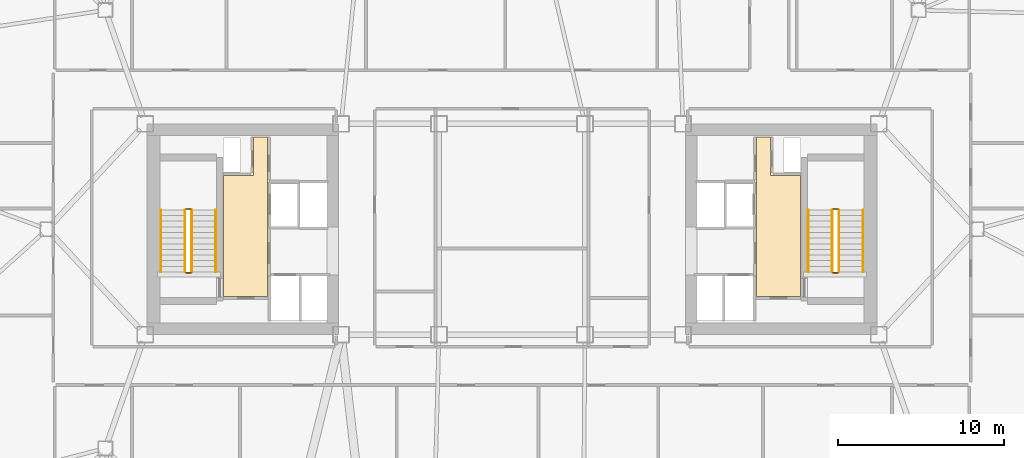
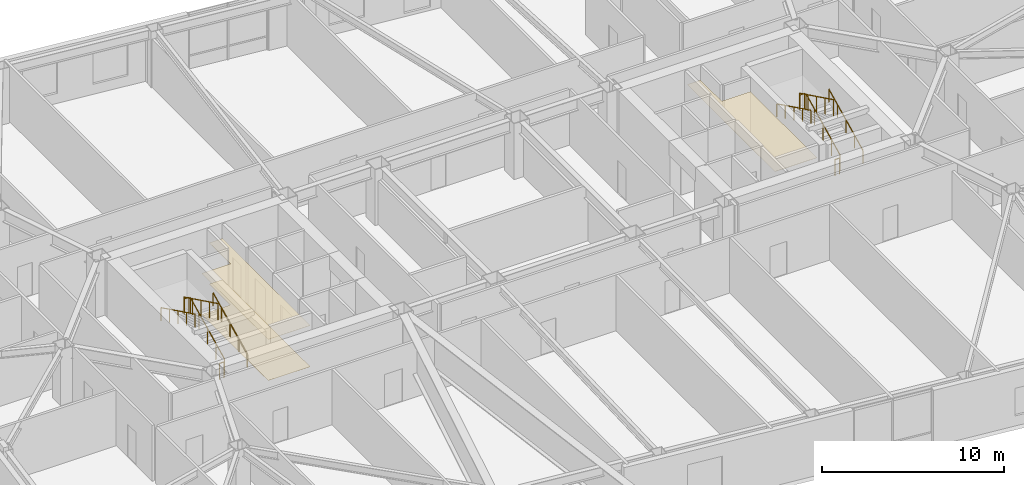
# One storey, part 19 of 19: 12 railings, 3 coverings.
"""IFC4 building model written with IfcOpenShell, lengths in metres."""

from ifc_helpers import new_model, si_unit, direction, frame, origin, origin_2d, place, context, subcontext, project, spatial, polyline, rectangle, outline, extrude, material, layer, layer_set, type_object, element, save


model = new_model("IFC4")

# Units and contexts
model_context = context("Model", 3, precision=1e-05, world=origin(), true_north=direction((0.0, 1.0)))
body_context = subcontext(model_context, "Body", "Model", "MODEL_VIEW")
ifc_project = project(units=[si_unit("LENGTHUNIT", "METRE"), si_unit("AREAUNIT", "SQUARE_METRE"), si_unit("VOLUMEUNIT", "CUBIC_METRE"), si_unit("PLANEANGLEUNIT", "RADIAN"), si_unit("MASSUNIT", "GRAM", prefix="KILO")], contexts=[model_context])

# Site, building, storey
site_placement = place(None, origin())
site = spatial("IfcSite", under=ifc_project, at=site_placement, CompositionType="ELEMENT")
building_placement = place(site_placement, origin())
building = spatial("IfcBuilding", under=site, at=building_placement, Name="Tavrogorsk Clinical Tower", CompositionType="ELEMENT")
storey_placement = place(building_placement, frame((0.0, 0.0, 97.39990234375)))
storey = spatial("IfcBuildingStorey", under=building, at=storey_placement, Name="L21", CompositionType="ELEMENT", Elevation=97.39990234375)

# Coverings
ifc_material_1 = material(Name="Antibacterial micro-perforated aluminium ceiling", Category="aluminium")
ifc_layer_1 = layer(ifc_material_1, 0.014892578125)
ifc_layer_set_1 = layer_set([ifc_layer_1], Name="Antibacterial micro-perforated aluminium ceiling")
covering_type_1 = type_object("IfcCoveringType", Name="ClinicalCeiling_15", PredefinedType="CEILING", material=ifc_layer_set_1)
covering_1_placement = place(storey_placement, frame((0.0, 0.0, 2.75)))
element("IfcCovering", 1, at=covering_1_placement, inside=storey, type_object=covering_type_1, Name="Core West Firefighting Lift Lobby Acoustic Ceiling", PredefinedType="CEILING", context=body_context, shape_type="SweptSolid", body=[
    extrude(outline(polyline([(-14.719970703125, 5.56005859375), (-14.719970703125, -4.06005859375), (-17.3798828125, -4.06005859375), (-17.3798828125, 3.239990234375), (-15.56005859375, 3.239990234375), (-15.56005859375, 5.56005859375), (-14.719970703125, 5.56005859375)])), origin(), (0.0, 0.0, 1.0), 0.01513671875),
])
covering_2_placement = place(storey_placement, frame((0.0, 0.0, 2.75)))
element("IfcCovering", 2, at=covering_2_placement, inside=storey, type_object=covering_type_1, Name="Core East Firefighting Lift Lobby Acoustic Ceiling", PredefinedType="CEILING", context=body_context, shape_type="SweptSolid", body=[
    extrude(outline(polyline([(17.3798828125, -4.06005859375), (14.719970703125, -4.06005859375), (14.719970703125, 5.56005859375), (15.56005859375, 5.56005859375), (15.56005859375, 3.239990234375), (17.3798828125, 3.239990234375), (17.3798828125, -4.06005859375)])), origin(), (0.0, 0.0, 1.0), 0.01513671875),
])
ifc_material_2 = material(Name="Homogeneous medical conductive PVC flooring")
ifc_layer_2 = layer(ifc_material_2, 0.008056640625)
ifc_layer_set_2 = layer_set([ifc_layer_2], Name="Homogeneous medical conductive PVC flooring")
covering_type_2 = type_object("IfcCoveringType", Name="ResilientVinylFloor_8", PredefinedType="FLOORING", material=ifc_layer_set_2)
covering_3_placement = place(storey_placement, origin())
element("IfcCovering", 3, at=covering_3_placement, inside=storey, type_object=covering_type_2, Name="Core West Firefighting Lift Lobby Conductive Vinyl Flooring", PredefinedType="FLOORING", context=body_context, shape_type="SweptSolid", body=[
    extrude(outline(polyline([(-14.719970703125, 5.56005859375), (-14.719970703125, -4.06005859375), (-17.3798828125, -4.06005859375), (-17.3798828125, 3.239990234375), (-15.56005859375, 3.239990234375), (-15.56005859375, 5.56005859375), (-14.719970703125, 5.56005859375)])), origin(), (0.0, 0.0, 1.0), 0.008056640625),
])

# Railings
ifc_material_3 = material(Name="Galvanised steel S355 safety stairwell guard", Category="steel")
ifc_layer_3 = layer(ifc_material_3, 0.06005859375)
ifc_layer_set_3 = layer_set([ifc_layer_3], Name="Galvanised steel S355 safety stairwell guard")
railing_type_1 = type_object("IfcRailingType", Name="StairGuard_1150", PredefinedType="GUARDRAIL", material=ifc_layer_set_3)
railing_1_placement = place(storey_placement, frame((-19.300048828125, -2.574951171875, 0.166748046875)))
element("IfcRailing", 4, at=railing_1_placement, inside=storey, type_object=railing_type_1, Name="L21 ST-W stair guard 1", PredefinedType="GUARDRAIL", context=body_context, shape_type="SweptSolid", body=[
    extrude(rectangle(XDim=0.048095703125, YDim=0.048095703125, at=origin_2d()), frame((0.0, 0.0, 1.076171875), z_axis=(0.0, 0.897927990467, 0.440142390523), x_axis=(-1.0, 0.0, 0.0)), (0.0, 0.0, 1.0), 4.1650390625),
    extrude(rectangle(XDim=0.0419921875, YDim=0.0419921875, at=origin_2d()), origin(), (0.0, 0.0, 1.0), 1.052001953125),
    extrude(rectangle(XDim=0.0419921875, YDim=0.0419921875, at=origin_2d()), frame((0.0, 0.93505859375, 0.458251953125)), (0.0, 0.0, 1.0), 1.052001953125),
    extrude(rectangle(XDim=0.0419921875, YDim=0.0419921875, at=origin_2d()), frame((0.0, 1.8701171875, 0.91650390625)), (0.0, 0.0, 1.0), 1.052001953125),
    extrude(rectangle(XDim=0.0419921875, YDim=0.0419921875, at=origin_2d()), frame((0.0, 2.804931640625, 1.375)), (0.0, 0.0, 1.0), 1.052001953125),
    extrude(rectangle(XDim=0.0419921875, YDim=0.0419921875, at=origin_2d()), frame((0.0, 3.739990234375, 1.833251953125)), (0.0, 0.0, 1.0), 1.052001953125),
])
railing_2_placement = place(storey_placement, frame((-19.35009765625, 1.215087890625, 2.0)))
element("IfcRailing", 5, at=railing_2_placement, inside=storey, type_object=railing_type_1, Name="L21 ST-W stair guard 2", PredefinedType="GUARDRAIL", context=body_context, shape_type="SweptSolid", body=[
    extrude(rectangle(XDim=0.048095703125, YDim=0.048095703125, at=origin_2d()), frame((0.0, 0.0, 1.076171875), z_axis=(-1.0, 0.0, 0.0), x_axis=(0.0, -1.0, 0.0)), (0.0, 0.0, 1.0), 0.2998046875),
    extrude(rectangle(XDim=0.0419921875, YDim=0.0419921875, at=origin_2d()), origin(), (0.0, 0.0, 1.0), 1.052001953125),
    extrude(rectangle(XDim=0.0419921875, YDim=0.0419921875, at=origin_2d()), frame((-0.2998046875, 0.0, 0.0)), (0.0, 0.0, 1.0), 1.052001953125),
])
railing_3_placement = place(storey_placement, frame((-19.699951171875, 1.1650390625, 2.166748046875)))
element("IfcRailing", 6, at=railing_3_placement, inside=storey, type_object=railing_type_1, Name="L21 ST-W stair guard 3", PredefinedType="GUARDRAIL", context=body_context, shape_type="SweptSolid", body=[
    extrude(rectangle(XDim=0.048095703125, YDim=0.048095703125, at=origin_2d()), frame((0.0, 0.0, 1.076171875), z_axis=(0.0, -0.897927990467, 0.440142390523), x_axis=(1.0, 0.0, 0.0)), (0.0, 0.0, 1.0), 4.1650390625),
    extrude(rectangle(XDim=0.0419921875, YDim=0.0419921875, at=origin_2d()), origin(), (0.0, 0.0, 1.0), 1.052001953125),
    extrude(rectangle(XDim=0.0419921875, YDim=0.0419921875, at=origin_2d()), frame((0.0, -0.93505859375, 0.458251953125)), (0.0, 0.0, 1.0), 1.052001953125),
    extrude(rectangle(XDim=0.0419921875, YDim=0.0419921875, at=origin_2d()), frame((0.0, -1.8701171875, 0.91650390625)), (0.0, 0.0, 1.0), 1.052001953125),
    extrude(rectangle(XDim=0.0419921875, YDim=0.0419921875, at=origin_2d()), frame((0.0, -2.804931640625, 1.375)), (0.0, 0.0, 1.0), 1.052001953125),
    extrude(rectangle(XDim=0.0419921875, YDim=0.0419921875, at=origin_2d()), frame((0.0, -3.739990234375, 1.833251953125)), (0.0, 0.0, 1.0), 1.052001953125),
])
railing_4_placement = place(storey_placement, frame((-19.35009765625, -2.625, 0.0)))
element("IfcRailing", 7, at=railing_4_placement, inside=storey, type_object=railing_type_1, Name="L21 ST-W stair guard 4", PredefinedType="GUARDRAIL", context=body_context, shape_type="SweptSolid", body=[
    extrude(rectangle(XDim=0.048095703125, YDim=0.048095703125, at=origin_2d()), frame((0.0, 0.0, 1.076171875), z_axis=(-1.0, 0.0, 0.0), x_axis=(0.0, -1.0, 0.0)), (0.0, 0.0, 1.0), 0.2998046875),
    extrude(rectangle(XDim=0.0419921875, YDim=0.0419921875, at=origin_2d()), origin(), (0.0, 0.0, 1.0), 1.052001953125),
    extrude(rectangle(XDim=0.0419921875, YDim=0.0419921875, at=origin_2d()), frame((-0.2998046875, 0.0, 0.0)), (0.0, 0.0, 1.0), 1.052001953125),
])
railing_5_placement = place(storey_placement, frame((19.699951171875, -2.574951171875, 0.166748046875)))
element("IfcRailing", 8, at=railing_5_placement, inside=storey, type_object=railing_type_1, Name="L21 ST-E stair guard 1", PredefinedType="GUARDRAIL", context=body_context, shape_type="SweptSolid", body=[
    extrude(rectangle(XDim=0.048095703125, YDim=0.048095703125, at=origin_2d()), frame((0.0, 0.0, 1.076171875), z_axis=(0.0, 0.897927990467, 0.440142390523), x_axis=(-1.0, 0.0, 0.0)), (0.0, 0.0, 1.0), 4.1650390625),
    extrude(rectangle(XDim=0.0419921875, YDim=0.0419921875, at=origin_2d()), origin(), (0.0, 0.0, 1.0), 1.052001953125),
    extrude(rectangle(XDim=0.0419921875, YDim=0.0419921875, at=origin_2d()), frame((0.0, 0.93505859375, 0.458251953125)), (0.0, 0.0, 1.0), 1.052001953125),
    extrude(rectangle(XDim=0.0419921875, YDim=0.0419921875, at=origin_2d()), frame((0.0, 1.8701171875, 0.91650390625)), (0.0, 0.0, 1.0), 1.052001953125),
    extrude(rectangle(XDim=0.0419921875, YDim=0.0419921875, at=origin_2d()), frame((0.0, 2.804931640625, 1.375)), (0.0, 0.0, 1.0), 1.052001953125),
    extrude(rectangle(XDim=0.0419921875, YDim=0.0419921875, at=origin_2d()), frame((0.0, 3.739990234375, 1.833251953125)), (0.0, 0.0, 1.0), 1.052001953125),
])
railing_6_placement = place(storey_placement, frame((19.64990234375, 1.215087890625, 2.0)))
element("IfcRailing", 9, at=railing_6_placement, inside=storey, type_object=railing_type_1, Name="L21 ST-E stair guard 2", PredefinedType="GUARDRAIL", context=body_context, shape_type="SweptSolid", body=[
    extrude(rectangle(XDim=0.048095703125, YDim=0.048095703125, at=origin_2d()), frame((0.0, 0.0, 1.076171875), z_axis=(-1.0, 0.0, 0.0), x_axis=(0.0, -1.0, 0.0)), (0.0, 0.0, 1.0), 0.2998046875),
    extrude(rectangle(XDim=0.0419921875, YDim=0.0419921875, at=origin_2d()), origin(), (0.0, 0.0, 1.0), 1.052001953125),
    extrude(rectangle(XDim=0.0419921875, YDim=0.0419921875, at=origin_2d()), frame((-0.2998046875, 0.0, 0.0)), (0.0, 0.0, 1.0), 1.052001953125),
])
railing_7_placement = place(storey_placement, frame((19.300048828125, 1.1650390625, 2.166748046875)))
element("IfcRailing", 10, at=railing_7_placement, inside=storey, type_object=railing_type_1, Name="L21 ST-E stair guard 3", PredefinedType="GUARDRAIL", context=body_context, shape_type="SweptSolid", body=[
    extrude(rectangle(XDim=0.048095703125, YDim=0.048095703125, at=origin_2d()), frame((0.0, 0.0, 1.076171875), z_axis=(0.0, -0.897927990467, 0.440142390523), x_axis=(1.0, 0.0, 0.0)), (0.0, 0.0, 1.0), 4.1650390625),
    extrude(rectangle(XDim=0.0419921875, YDim=0.0419921875, at=origin_2d()), origin(), (0.0, 0.0, 1.0), 1.052001953125),
    extrude(rectangle(XDim=0.0419921875, YDim=0.0419921875, at=origin_2d()), frame((0.0, -0.93505859375, 0.458251953125)), (0.0, 0.0, 1.0), 1.052001953125),
    extrude(rectangle(XDim=0.0419921875, YDim=0.0419921875, at=origin_2d()), frame((0.0, -1.8701171875, 0.91650390625)), (0.0, 0.0, 1.0), 1.052001953125),
    extrude(rectangle(XDim=0.0419921875, YDim=0.0419921875, at=origin_2d()), frame((0.0, -2.804931640625, 1.375)), (0.0, 0.0, 1.0), 1.052001953125),
    extrude(rectangle(XDim=0.0419921875, YDim=0.0419921875, at=origin_2d()), frame((0.0, -3.739990234375, 1.833251953125)), (0.0, 0.0, 1.0), 1.052001953125),
])
railing_8_placement = place(storey_placement, frame((19.64990234375, -2.625, 0.0)))
element("IfcRailing", 11, at=railing_8_placement, inside=storey, type_object=railing_type_1, Name="L21 ST-E stair guard 4", PredefinedType="GUARDRAIL", context=body_context, shape_type="SweptSolid", body=[
    extrude(rectangle(XDim=0.048095703125, YDim=0.048095703125, at=origin_2d()), frame((0.0, 0.0, 1.076171875), z_axis=(-1.0, 0.0, 0.0), x_axis=(0.0, -1.0, 0.0)), (0.0, 0.0, 1.0), 0.2998046875),
    extrude(rectangle(XDim=0.0419921875, YDim=0.0419921875, at=origin_2d()), origin(), (0.0, 0.0, 1.0), 1.052001953125),
    extrude(rectangle(XDim=0.0419921875, YDim=0.0419921875, at=origin_2d()), frame((-0.2998046875, 0.0, 0.0)), (0.0, 0.0, 1.0), 1.052001953125),
])
ifc_material_4 = material(Name="Stainless steel AISI 304 tubular handrail", Category="steel")
ifc_layer_4 = layer(ifc_material_4, 0.050048828125)
ifc_layer_set_4 = layer_set([ifc_layer_4], Name="Stainless steel AISI 304 tubular handrail")
railing_type_2 = type_object("IfcRailingType", Name="StairHandrail_920", PredefinedType="HANDRAIL", material=ifc_layer_set_4)
railing_9_placement = place(storey_placement, frame((-17.85009765625, -2.574951171875, 0.166748046875)))
element("IfcRailing", 12, at=railing_9_placement, inside=storey, type_object=railing_type_2, Name="L21 ST-W stair handrail 1", PredefinedType="HANDRAIL", context=body_context, shape_type="SweptSolid", body=[
    extrude(rectangle(XDim=0.048095703125, YDim=0.048095703125, at=origin_2d()), frame((0.0, 0.0, 0.8759765625), z_axis=(0.0, 0.897927990467, 0.440142390523), x_axis=(-1.0, 0.0, 0.0)), (0.0, 0.0, 1.0), 4.1650390625),
    extrude(rectangle(XDim=0.0419921875, YDim=0.0419921875, at=origin_2d()), origin(), (0.0, 0.0, 1.0), 0.851806640625),
    extrude(rectangle(XDim=0.0419921875, YDim=0.0419921875, at=origin_2d()), frame((0.0, 0.93505859375, 0.458251953125)), (0.0, 0.0, 1.0), 0.851806640625),
    extrude(rectangle(XDim=0.0419921875, YDim=0.0419921875, at=origin_2d()), frame((0.0, 1.8701171875, 0.91650390625)), (0.0, 0.0, 1.0), 0.851806640625),
    extrude(rectangle(XDim=0.0419921875, YDim=0.0419921875, at=origin_2d()), frame((0.0, 2.804931640625, 1.375)), (0.0, 0.0, 1.0), 0.851806640625),
    extrude(rectangle(XDim=0.0419921875, YDim=0.0419921875, at=origin_2d()), frame((0.0, 3.739990234375, 1.833251953125)), (0.0, 0.0, 1.0), 0.851806640625),
])
railing_10_placement = place(storey_placement, frame((-21.14990234375, 1.1650390625, 2.166748046875)))
element("IfcRailing", 13, at=railing_10_placement, inside=storey, type_object=railing_type_2, Name="L21 ST-W stair handrail 2", PredefinedType="HANDRAIL", context=body_context, shape_type="SweptSolid", body=[
    extrude(rectangle(XDim=0.048095703125, YDim=0.048095703125, at=origin_2d()), frame((0.0, 0.0, 0.8759765625), z_axis=(0.0, -0.897927990467, 0.440142390523), x_axis=(1.0, 0.0, 0.0)), (0.0, 0.0, 1.0), 4.1650390625),
    extrude(rectangle(XDim=0.0419921875, YDim=0.0419921875, at=origin_2d()), origin(), (0.0, 0.0, 1.0), 0.851806640625),
    extrude(rectangle(XDim=0.0419921875, YDim=0.0419921875, at=origin_2d()), frame((0.0, -0.93505859375, 0.458251953125)), (0.0, 0.0, 1.0), 0.851806640625),
    extrude(rectangle(XDim=0.0419921875, YDim=0.0419921875, at=origin_2d()), frame((0.0, -1.8701171875, 0.91650390625)), (0.0, 0.0, 1.0), 0.851806640625),
    extrude(rectangle(XDim=0.0419921875, YDim=0.0419921875, at=origin_2d()), frame((0.0, -2.804931640625, 1.375)), (0.0, 0.0, 1.0), 0.851806640625),
    extrude(rectangle(XDim=0.0419921875, YDim=0.0419921875, at=origin_2d()), frame((0.0, -3.739990234375, 1.833251953125)), (0.0, 0.0, 1.0), 0.851806640625),
])
railing_11_placement = place(storey_placement, frame((21.14990234375, -2.574951171875, 0.166748046875)))
element("IfcRailing", 14, at=railing_11_placement, inside=storey, type_object=railing_type_2, Name="L21 ST-E stair handrail 1", PredefinedType="HANDRAIL", context=body_context, shape_type="SweptSolid", body=[
    extrude(rectangle(XDim=0.048095703125, YDim=0.048095703125, at=origin_2d()), frame((0.0, 0.0, 0.8759765625), z_axis=(0.0, 0.897927990467, 0.440142390523), x_axis=(-1.0, 0.0, 0.0)), (0.0, 0.0, 1.0), 4.1650390625),
    extrude(rectangle(XDim=0.0419921875, YDim=0.0419921875, at=origin_2d()), origin(), (0.0, 0.0, 1.0), 0.851806640625),
    extrude(rectangle(XDim=0.0419921875, YDim=0.0419921875, at=origin_2d()), frame((0.0, 0.93505859375, 0.458251953125)), (0.0, 0.0, 1.0), 0.851806640625),
    extrude(rectangle(XDim=0.0419921875, YDim=0.0419921875, at=origin_2d()), frame((0.0, 1.8701171875, 0.91650390625)), (0.0, 0.0, 1.0), 0.851806640625),
    extrude(rectangle(XDim=0.0419921875, YDim=0.0419921875, at=origin_2d()), frame((0.0, 2.804931640625, 1.375)), (0.0, 0.0, 1.0), 0.851806640625),
    extrude(rectangle(XDim=0.0419921875, YDim=0.0419921875, at=origin_2d()), frame((0.0, 3.739990234375, 1.833251953125)), (0.0, 0.0, 1.0), 0.851806640625),
])
railing_12_placement = place(storey_placement, frame((17.85009765625, 1.1650390625, 2.166748046875)))
element("IfcRailing", 15, at=railing_12_placement, inside=storey, type_object=railing_type_2, Name="L21 ST-E stair handrail 2", PredefinedType="HANDRAIL", context=body_context, shape_type="SweptSolid", body=[
    extrude(rectangle(XDim=0.048095703125, YDim=0.048095703125, at=origin_2d()), frame((0.0, 0.0, 0.8759765625), z_axis=(0.0, -0.897927990467, 0.440142390523), x_axis=(1.0, 0.0, 0.0)), (0.0, 0.0, 1.0), 4.1650390625),
    extrude(rectangle(XDim=0.0419921875, YDim=0.0419921875, at=origin_2d()), origin(), (0.0, 0.0, 1.0), 0.851806640625),
    extrude(rectangle(XDim=0.0419921875, YDim=0.0419921875, at=origin_2d()), frame((0.0, -0.93505859375, 0.458251953125)), (0.0, 0.0, 1.0), 0.851806640625),
    extrude(rectangle(XDim=0.0419921875, YDim=0.0419921875, at=origin_2d()), frame((0.0, -1.8701171875, 0.91650390625)), (0.0, 0.0, 1.0), 0.851806640625),
    extrude(rectangle(XDim=0.0419921875, YDim=0.0419921875, at=origin_2d()), frame((0.0, -2.804931640625, 1.375)), (0.0, 0.0, 1.0), 0.851806640625),
    extrude(rectangle(XDim=0.0419921875, YDim=0.0419921875, at=origin_2d()), frame((0.0, -3.739990234375, 1.833251953125)), (0.0, 0.0, 1.0), 0.851806640625),
])

save(model, "model.ifc")
